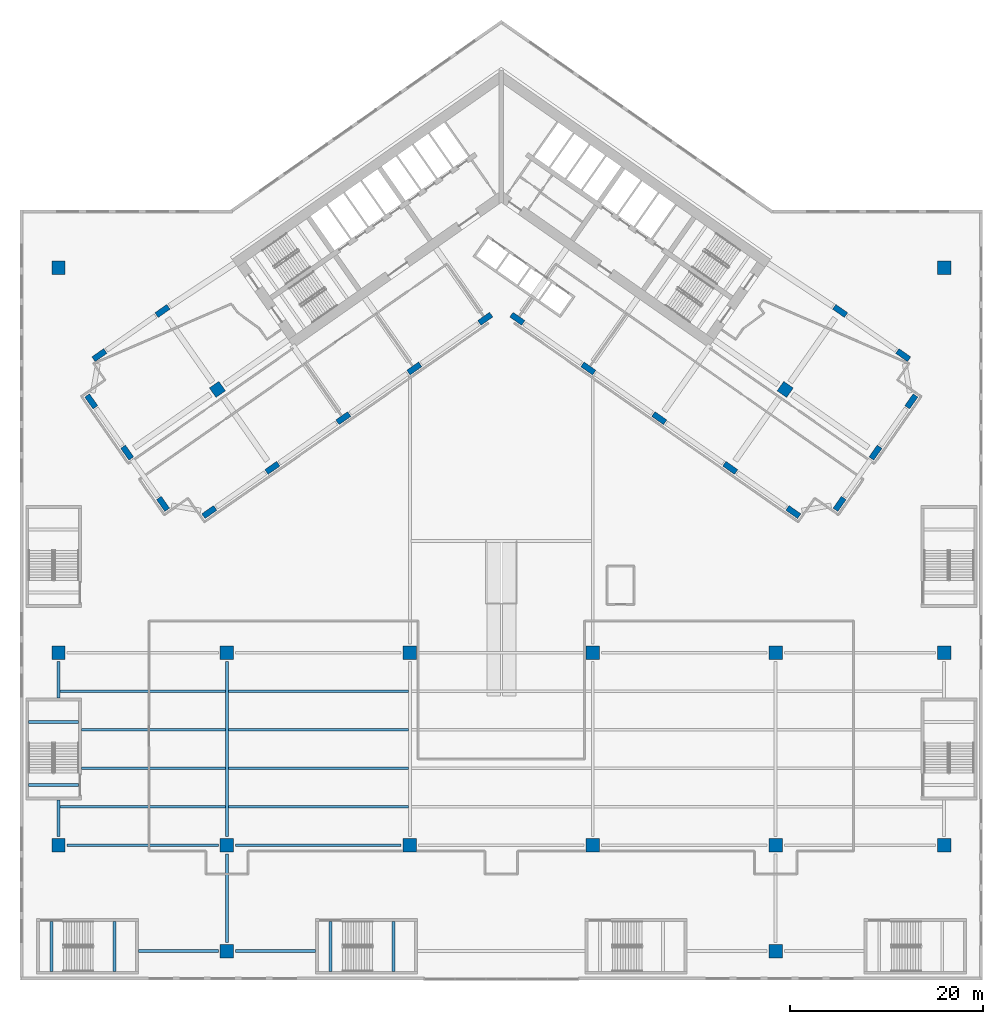
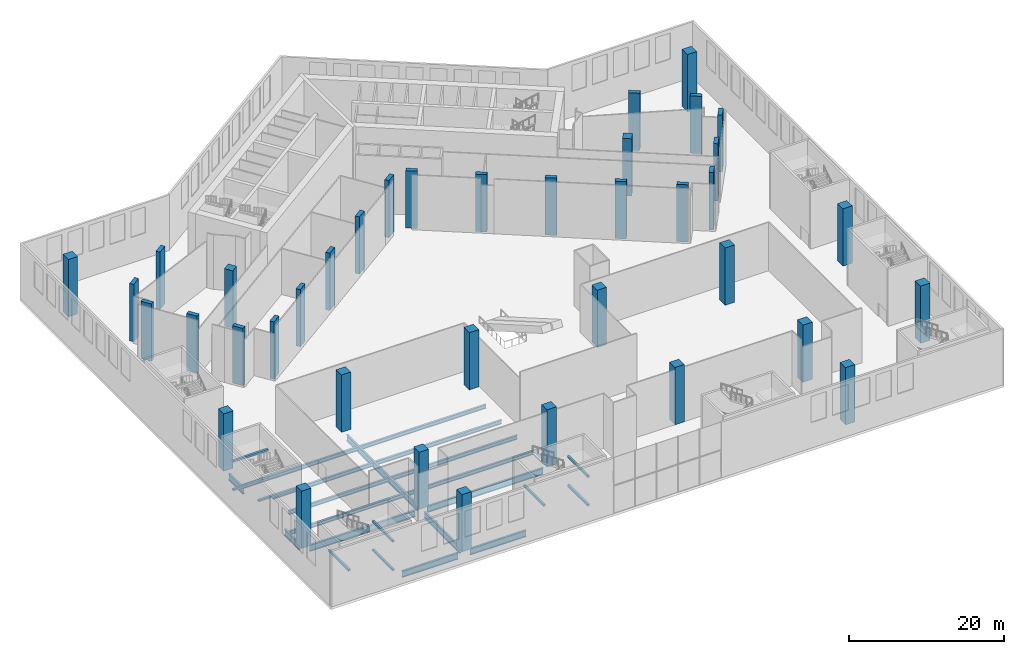
# One storey, part 1 of 27: 38 columns, 25 beams.
"""IFC4 building model written with IfcOpenShell, lengths in metres."""

from ifc_helpers import new_model, si_unit, direction, frame, origin, origin_2d, place, context, subcontext, project, spatial, rectangle, i_section, extrude, material, material_profile, profile_set, type_object, element, save


model = new_model("IFC4")

# Units and contexts
model_context = context("Model", 3, precision=1e-05, world=origin(), true_north=direction((0.0, 1.0)))
body_context = subcontext(model_context, "Body", "Model", "MODEL_VIEW")
ifc_project = project(units=[si_unit("LENGTHUNIT", "METRE"), si_unit("AREAUNIT", "SQUARE_METRE"), si_unit("VOLUMEUNIT", "CUBIC_METRE"), si_unit("PLANEANGLEUNIT", "RADIAN"), si_unit("MASSUNIT", "GRAM", prefix="KILO")], contexts=[model_context])

# Site, building, storey
site_placement = place(None, origin())
site = spatial("IfcSite", under=ifc_project, at=site_placement, CompositionType="ELEMENT")
building_placement = place(site_placement, origin())
building = spatial("IfcBuilding", under=site, at=building_placement, Name="Tel Ilan Convention Tower", CompositionType="ELEMENT")
storey_placement = place(building_placement, frame((0.0, 0.0, 9.0)))
storey = spatial("IfcBuildingStorey", under=building, at=storey_placement, Name="L01", CompositionType="ELEMENT", Elevation=9.0)

# Columns
ifc_material_1 = material(Name="Concrete C60/75", Category="concrete")
ifc_material_profile_1 = material_profile(ifc_material_1, rectangle(XDim=1.199951171875, YDim=1.199951171875, at=origin_2d()), Name="RC 1200x1200")
ifc_profile_set_1 = profile_set([ifc_material_profile_1], Name="Concrete C60/75")
column_type_1 = type_object("IfcColumnType", Name="Column RC 1200x1200 C60/75", PredefinedType="COLUMN", material=ifc_profile_set_1)
for number, where, z_axis, x_axis, name in (
    (1, (-29.489501953125, -20.648681640625, 0.0), (0.0, 0.0, 1.0), (-0.819152044289, -0.573576436351, 0.0), "L01 column W-M4"),
    (2, (29.489501953125, -20.648681640625, 0.0), (0.0, 0.0, 1.0), (0.819152044289, -0.573576436351, 0.0), "L01 column E-M4"),
):
    element("IfcColumn", number, at=place(storey_placement, frame(where, z_axis=z_axis, x_axis=x_axis)), inside=storey, type_object=column_type_1, Name=name, PredefinedType="COLUMN", context=body_context, shape_type="SweptSolid", body=[
        extrude(rectangle(XDim=1.199951171875, YDim=1.199951171875, at=origin_2d()), origin(), (0.0, 0.0, 1.0), 9.0),
    ])
ifc_material_2 = material(Name="Concrete C50/60", Category="concrete")
ifc_material_profile_2 = material_profile(ifc_material_2, rectangle(XDim=1.39990234375, YDim=1.39990234375, at=origin_2d()), Name="RC 1400x1400")
ifc_profile_set_2 = profile_set([ifc_material_profile_2], Name="Concrete C50/60")
column_type_2 = type_object("IfcColumnType", Name="Column RC 1400x1400 C50/60", PredefinedType="COLUMN", material=ifc_profile_set_2)
for number, where, z_axis, x_axis, name in (
    (3, (-28.5, -79.0, 0.0), (0.0, 0.0, 1.0), (1.0, 0.0, 0.0), "L01 column PC12"),
    (4, (28.5, -79.0, 0.0), (0.0, 0.0, 1.0), (1.0, 0.0, 0.0), "L01 column PC15"),
    (5, (-46.0, -68.0, 0.0), (0.0, 0.0, 1.0), (1.0, 0.0, 0.0), "L01 column PC21"),
    (6, (-28.5, -68.0, 0.0), (0.0, 0.0, 1.0), (1.0, 0.0, 0.0), "L01 column PC22"),
    (7, (-9.5, -68.0, 0.0), (0.0, 0.0, 1.0), (1.0, 0.0, 0.0), "L01 column PC23"),
    (8, (9.5, -68.0, 0.0), (0.0, 0.0, 1.0), (1.0, 0.0, 0.0), "L01 column PC24"),
    (9, (28.5, -68.0, 0.0), (0.0, 0.0, 1.0), (1.0, 0.0, 0.0), "L01 column PC25"),
    (10, (46.0, -68.0, 0.0), (0.0, 0.0, 1.0), (1.0, 0.0, 0.0), "L01 column PC26"),
    (11, (-46.0, -48.0, 0.0), (0.0, 0.0, 1.0), (1.0, 0.0, 0.0), "L01 column PC31"),
    (12, (-28.5, -48.0, 0.0), (0.0, 0.0, 1.0), (1.0, 0.0, 0.0), "L01 column PC32"),
    (13, (-9.5, -48.0, 0.0), (0.0, 0.0, 1.0), (1.0, 0.0, 0.0), "L01 column PC33"),
    (14, (9.5, -48.0, 0.0), (0.0, 0.0, 1.0), (1.0, 0.0, 0.0), "L01 column PC34"),
    (15, (28.5, -48.0, 0.0), (0.0, 0.0, 1.0), (1.0, 0.0, 0.0), "L01 column PC35"),
    (16, (46.0, -48.0, 0.0), (0.0, 0.0, 1.0), (1.0, 0.0, 0.0), "L01 column PC36"),
    (17, (-46.0, -8.0, 0.0), (0.0, 0.0, 1.0), (1.0, 0.0, 0.0), "L01 column PC51"),
    (18, (46.0, -8.0, 0.0), (0.0, 0.0, 1.0), (1.0, 0.0, 0.0), "L01 column PC56"),
):
    element("IfcColumn", number, at=place(storey_placement, frame(where, z_axis=z_axis, x_axis=x_axis)), inside=storey, type_object=column_type_2, Name=name, PredefinedType="COLUMN", context=body_context, shape_type="SweptSolid", body=[
        extrude(rectangle(XDim=1.39990234375, YDim=1.39990234375, at=origin_2d()), origin(), (0.0, 0.0, 1.0), 9.0),
    ])
ifc_material_3 = material(Name="Concrete C60/75", Category="concrete")
ifc_material_profile_3 = material_profile(ifc_material_3, rectangle(XDim=1.5, YDim=0.60009765625, at=origin_2d()), Name="RC 600x1500")
ifc_profile_set_3 = profile_set([ifc_material_profile_3], Name="Concrete C60/75")
column_type_3 = type_object("IfcColumnType", Name="Column RC 600x1500 C60/75", PredefinedType="COLUMN", material=ifc_profile_set_3)
for number, where, z_axis, x_axis, name in (
    (19, (-1.665283203125, -13.312744140625, 0.0), (0.0, 0.0, 1.0), (-0.819152044289, -0.573576436351, 0.0), "L01 column W-F1"),
    (20, (-9.03759765625, -18.474853515625, 0.0), (0.0, 0.0, 1.0), (-0.819152044289, -0.573576436351, 0.0), "L01 column W-F2"),
    (21, (-16.409912109375, -23.63720703125, 0.0), (0.0, 0.0, 1.0), (-0.819152044289, -0.573576436351, 0.0), "L01 column W-F3"),
    (22, (-23.782470703125, -28.79931640625, 0.0), (0.0, 0.0, 1.0), (-0.819152044289, -0.573576436351, 0.0), "L01 column W-F4"),
    (23, (-30.335693359375, -33.387939453125, 0.0), (0.0, 0.0, 1.0), (-0.819152044289, -0.573576436351, 0.0), "L01 column W-FC"),
    (24, (-35.196533203125, -12.498291015625, 0.0), (0.0, 0.0, 1.0), (-0.819152044289, -0.573576436351, 0.0), "L01 column W-B4"),
    (25, (-41.749755859375, -17.0869140625, 0.0), (0.0, 0.0, 1.0), (-0.819152044289, -0.573576436351, 0.0), "L01 column W-BC"),
    (26, (-35.140380859375, -32.540771484375, 0.0), (0.0, 0.0, 1.0), (-0.573576436351, 0.819152044289, 0.0), "L01 column W-E1"),
    (27, (-38.868896484375, -27.21630859375, 0.0), (0.0, 0.0, 1.0), (-0.573576436351, 0.819152044289, 0.0), "L01 column W-E2"),
    (28, (-42.596923828125, -21.8916015625, 0.0), (0.0, 0.0, 1.0), (-0.573576436351, 0.819152044289, 0.0), "L01 column W-E3"),
    (29, (1.665283203125, -13.312744140625, 0.0), (0.0, 0.0, 1.0), (0.819152044289, -0.573576436351, 0.0), "L01 column E-F1"),
    (30, (9.03759765625, -18.474853515625, 0.0), (0.0, 0.0, 1.0), (0.819152044289, -0.573576436351, 0.0), "L01 column E-F2"),
    (31, (16.409912109375, -23.63720703125, 0.0), (0.0, 0.0, 1.0), (0.819152044289, -0.573576436351, 0.0), "L01 column E-F3"),
    (32, (23.782470703125, -28.79931640625, 0.0), (0.0, 0.0, 1.0), (0.819152044289, -0.573576436351, 0.0), "L01 column E-F4"),
    (33, (30.335693359375, -33.387939453125, 0.0), (0.0, 0.0, 1.0), (0.819152044289, -0.573576436351, 0.0), "L01 column E-FC"),
    (34, (35.196533203125, -12.498291015625, 0.0), (0.0, 0.0, 1.0), (0.819152044289, -0.573576436351, 0.0), "L01 column E-B4"),
    (35, (41.749755859375, -17.0869140625, 0.0), (0.0, 0.0, 1.0), (0.819152044289, -0.573576436351, 0.0), "L01 column E-BC"),
    (36, (35.140380859375, -32.540771484375, 0.0), (0.0, 0.0, 1.0), (0.573576436351, 0.819152044289, 0.0), "L01 column E-E1"),
    (37, (38.868896484375, -27.21630859375, 0.0), (0.0, 0.0, 1.0), (0.573576436351, 0.819152044289, 0.0), "L01 column E-E2"),
    (38, (42.596923828125, -21.8916015625, 0.0), (0.0, 0.0, 1.0), (0.573576436351, 0.819152044289, 0.0), "L01 column E-E3"),
):
    element("IfcColumn", number, at=place(storey_placement, frame(where, z_axis=z_axis, x_axis=x_axis)), inside=storey, type_object=column_type_3, Name=name, PredefinedType="COLUMN", context=body_context, shape_type="SweptSolid", body=[
        extrude(rectangle(XDim=1.5, YDim=0.60009765625, at=origin_2d()), origin(), (0.0, 0.0, 1.0), 9.0),
    ])

# Beams
ifc_material_4 = material(Name="Steel S355", Category="steel")
ifc_material_profile_4 = material_profile(ifc_material_4, i_section(OverallWidth=0.300048828125, OverallDepth=1.0, WebThickness=0.01904296875, FlangeThickness=0.035888671875, FilletRadius=0.030029296875, at=origin_2d()), Name="HEB 1000")
ifc_profile_set_4 = profile_set([ifc_material_profile_4], Name="Steel S355")
beam_type_1 = type_object("IfcBeamType", Name="Girder HEB 1000 Steel S355", PredefinedType="BEAM", material=ifc_profile_set_4)
beam_1_placement = place(storey_placement, frame((-45.10009765625, -68.0, -0.89990234375), z_axis=(1.0, 0.0, 0.0), x_axis=(0.0, 1.0, 0.0)))
element("IfcBeam", 39, at=beam_1_placement, inside=storey, type_object=beam_type_1, Name="L01 beam GX21-2", PredefinedType="BEAM", context=body_context, shape_type="SweptSolid", body=[
    extrude(i_section(OverallWidth=0.300048828125, OverallDepth=1.0, WebThickness=0.01904296875, FlangeThickness=0.035888671875, FilletRadius=0.030029296875, at=origin_2d()), origin(), (0.0, 0.0, 1.0), 15.7001953125),
])
beam_2_placement = place(storey_placement, frame((-27.60009765625, -68.0, -0.89990234375), z_axis=(1.0, 0.0, 0.0), x_axis=(0.0, 1.0, 0.0)))
element("IfcBeam", 40, at=beam_2_placement, inside=storey, type_object=beam_type_1, Name="L01 beam GX22-3", PredefinedType="BEAM", context=body_context, shape_type="SweptSolid", body=[
    extrude(i_section(OverallWidth=0.300048828125, OverallDepth=1.0, WebThickness=0.01904296875, FlangeThickness=0.035888671875, FilletRadius=0.030029296875, at=origin_2d()), origin(), (0.0, 0.0, 1.0), 17.2001953125),
])
for number, where, z_axis, x_axis, name in (
    (41, (-46.0, -67.10009765625, -0.89990234375), (0.0, 1.0, 0.0), (-1.0, 0.0, 0.0), "L01 beam GY12-3"),
    (42, (-46.0, -52.699951171875, -0.89990234375), (0.0, 1.0, 0.0), (-1.0, 0.0, 0.0), "L01 beam GY12-3"),
):
    element("IfcBeam", number, at=place(storey_placement, frame(where, z_axis=z_axis, x_axis=x_axis)), inside=storey, type_object=beam_type_1, Name=name, PredefinedType="BEAM", context=body_context, shape_type="SweptSolid", body=[
        extrude(i_section(OverallWidth=0.300048828125, OverallDepth=1.0, WebThickness=0.01904296875, FlangeThickness=0.035888671875, FilletRadius=0.030029296875, at=origin_2d()), origin(), (0.0, 0.0, 1.0), 3.800048828125),
    ])
beam_3_placement = place(storey_placement, frame((-28.5, -78.10009765625, -0.89990234375), z_axis=(0.0, 1.0, 0.0), x_axis=(-1.0, 0.0, 0.0)))
element("IfcBeam", 43, at=beam_3_placement, inside=storey, type_object=beam_type_1, Name="L01 beam GY21-2", PredefinedType="BEAM", context=body_context, shape_type="SweptSolid", body=[
    extrude(i_section(OverallWidth=0.300048828125, OverallDepth=1.0, WebThickness=0.01904296875, FlangeThickness=0.035888671875, FilletRadius=0.030029296875, at=origin_2d()), origin(), (0.0, 0.0, 1.0), 9.2001953125),
])
beam_4_placement = place(storey_placement, frame((-28.5, -67.10009765625, -0.89990234375), z_axis=(0.0, 1.0, 0.0), x_axis=(-1.0, 0.0, 0.0)))
element("IfcBeam", 44, at=beam_4_placement, inside=storey, type_object=beam_type_1, Name="L01 beam GY22-3", PredefinedType="BEAM", context=body_context, shape_type="SweptSolid", body=[
    extrude(i_section(OverallWidth=0.300048828125, OverallDepth=1.0, WebThickness=0.01904296875, FlangeThickness=0.035888671875, FilletRadius=0.030029296875, at=origin_2d()), origin(), (0.0, 0.0, 1.0), 18.2001953125),
])
for number, where, z_axis, x_axis, name in (
    (45, (-37.699951171875, -79.0, -0.89990234375), (1.0, 0.0, 0.0), (0.0, 1.0, 0.0), "L01 beam GS19"),
    (46, (-27.60009765625, -79.0, -0.89990234375), (1.0, 0.0, 0.0), (0.0, 1.0, 0.0), "L01 beam GS20"),
):
    element("IfcBeam", number, at=place(storey_placement, frame(where, z_axis=z_axis, x_axis=x_axis)), inside=storey, type_object=beam_type_1, Name=name, PredefinedType="BEAM", context=body_context, shape_type="SweptSolid", body=[
        extrude(i_section(OverallWidth=0.300048828125, OverallDepth=1.0, WebThickness=0.01904296875, FlangeThickness=0.035888671875, FilletRadius=0.030029296875, at=origin_2d()), origin(), (0.0, 0.0, 1.0), 8.300048828125),
    ])
ifc_material_5 = material(Name="Steel S355", Category="steel")
ifc_material_profile_5 = material_profile(ifc_material_5, i_section(OverallWidth=0.300048828125, OverallDepth=0.60009765625, WebThickness=0.015380859375, FlangeThickness=0.030029296875, FilletRadius=0.027099609375, at=origin_2d()), Name="HEB 600")
ifc_profile_set_5 = profile_set([ifc_material_profile_5], Name="Steel S355")
beam_type_2 = type_object("IfcBeamType", Name="Joist HEB 600 Steel S355", PredefinedType="JOIST", material=ifc_profile_set_5)
beam_5_placement = place(storey_placement, frame((-45.860107421875, -64.0, -0.699951171875), z_axis=(1.0, 0.0, 0.0), x_axis=(0.0, 1.0, 0.0)))
element("IfcBeam", 47, at=beam_5_placement, inside=storey, type_object=beam_type_2, Name="L01 beam J1--68-1", PredefinedType="JOIST", context=body_context, shape_type="SweptSolid", body=[
    extrude(i_section(OverallWidth=0.300048828125, OverallDepth=0.60009765625, WebThickness=0.015380859375, FlangeThickness=0.030029296875, FilletRadius=0.027099609375, at=origin_2d()), origin(), (0.0, 0.0, 1.0), 17.22021484375),
])
for number, where, z_axis, x_axis, name in (
    (48, (-43.60009765625, -60.0, -0.699951171875), (1.0, 0.0, 0.0), (0.0, 1.0, 0.0), "L01 beam J1--68-2"),
    (49, (-43.60009765625, -56.0, -0.699951171875), (1.0, 0.0, 0.0), (0.0, 1.0, 0.0), "L01 beam J1--68-3"),
):
    element("IfcBeam", number, at=place(storey_placement, frame(where, z_axis=z_axis, x_axis=x_axis)), inside=storey, type_object=beam_type_2, Name=name, PredefinedType="JOIST", context=body_context, shape_type="SweptSolid", body=[
        extrude(i_section(OverallWidth=0.300048828125, OverallDepth=0.60009765625, WebThickness=0.015380859375, FlangeThickness=0.030029296875, FilletRadius=0.027099609375, at=origin_2d()), origin(), (0.0, 0.0, 1.0), 14.960205078125),
    ])
beam_6_placement = place(storey_placement, frame((-45.860107421875, -52.0, -0.699951171875), z_axis=(1.0, 0.0, 0.0), x_axis=(0.0, 1.0, 0.0)))
element("IfcBeam", 50, at=beam_6_placement, inside=storey, type_object=beam_type_2, Name="L01 beam J1--68-4", PredefinedType="JOIST", context=body_context, shape_type="SweptSolid", body=[
    extrude(i_section(OverallWidth=0.300048828125, OverallDepth=0.60009765625, WebThickness=0.015380859375, FlangeThickness=0.030029296875, FilletRadius=0.027099609375, at=origin_2d()), origin(), (0.0, 0.0, 1.0), 17.22021484375),
])
for number, where, z_axis, x_axis, name in (
    (51, (-28.360107421875, -64.0, -0.699951171875), (1.0, 0.0, 0.0), (0.0, 1.0, 0.0), "L01 beam J2--68-1"),
    (52, (-28.360107421875, -60.0, -0.699951171875), (1.0, 0.0, 0.0), (0.0, 1.0, 0.0), "L01 beam J2--68-2"),
    (53, (-28.360107421875, -56.0, -0.699951171875), (1.0, 0.0, 0.0), (0.0, 1.0, 0.0), "L01 beam J2--68-3"),
    (54, (-28.360107421875, -52.0, -0.699951171875), (1.0, 0.0, 0.0), (0.0, 1.0, 0.0), "L01 beam J2--68-4"),
):
    element("IfcBeam", number, at=place(storey_placement, frame(where, z_axis=z_axis, x_axis=x_axis)), inside=storey, type_object=beam_type_2, Name=name, PredefinedType="JOIST", context=body_context, shape_type="SweptSolid", body=[
        extrude(i_section(OverallWidth=0.300048828125, OverallDepth=0.60009765625, WebThickness=0.015380859375, FlangeThickness=0.030029296875, FilletRadius=0.027099609375, at=origin_2d()), origin(), (0.0, 0.0, 1.0), 18.72021484375),
    ])
ifc_material_6 = material(Name="Concrete C40/50", Category="concrete")
ifc_material_profile_6 = material_profile(ifc_material_6, rectangle(XDim=0.300048828125, YDim=0.300048828125, at=origin_2d()), Name="RC 300x300")
ifc_profile_set_6 = profile_set([ifc_material_profile_6], Name="Concrete C40/50")
beam_type_3 = type_object("IfcBeamType", Name="Landing Beam RC 300x300 Concrete C40/50", PredefinedType="BEAM", material=ifc_profile_set_6)
for number, where, z_axis, x_axis, name in (
    (55, (-40.197998046875, -81.10009765625, 1.89990234375), (0.0, 1.0, 0.0), (-1.0, 0.0, 0.0), "P1 landing beam L01.1"),
    (56, (-46.737060546875, -81.10009765625, 4.14990234375), (0.0, 1.0, 0.0), (-1.0, 0.0, 0.0), "P1 landing beam L01.2"),
    (57, (-40.197998046875, -81.10009765625, 6.39990234375), (0.0, 1.0, 0.0), (-1.0, 0.0, 0.0), "P1 landing beam L01.3"),
    (58, (-11.197998046875, -81.10009765625, 1.89990234375), (0.0, 1.0, 0.0), (-1.0, 0.0, 0.0), "P2 landing beam L01.1"),
    (59, (-17.737060546875, -81.10009765625, 4.14990234375), (0.0, 1.0, 0.0), (-1.0, 0.0, 0.0), "P2 landing beam L01.2"),
    (60, (-11.197998046875, -81.10009765625, 6.39990234375), (0.0, 1.0, 0.0), (-1.0, 0.0, 0.0), "P2 landing beam L01.3"),
    (61, (-43.89990234375, -55.197998046875, 1.89990234375), (-1.0, 0.0, 0.0), (0.0, -1.0, 0.0), "P5 landing beam L01.1"),
    (62, (-43.89990234375, -61.737060546875, 4.14990234375), (-1.0, 0.0, 0.0), (0.0, -1.0, 0.0), "P5 landing beam L01.2"),
    (63, (-43.89990234375, -55.197998046875, 6.39990234375), (-1.0, 0.0, 0.0), (0.0, -1.0, 0.0), "P5 landing beam L01.3"),
):
    element("IfcBeam", number, at=place(storey_placement, frame(where, z_axis=z_axis, x_axis=x_axis)), inside=storey, type_object=beam_type_3, Name=name, PredefinedType="BEAM", context=body_context, shape_type="SweptSolid", body=[
        extrude(rectangle(XDim=0.300048828125, YDim=0.300048828125, at=origin_2d()), origin(), (0.0, 0.0, 1.0), 5.2001953125),
    ])

save(model, "model.ifc")
